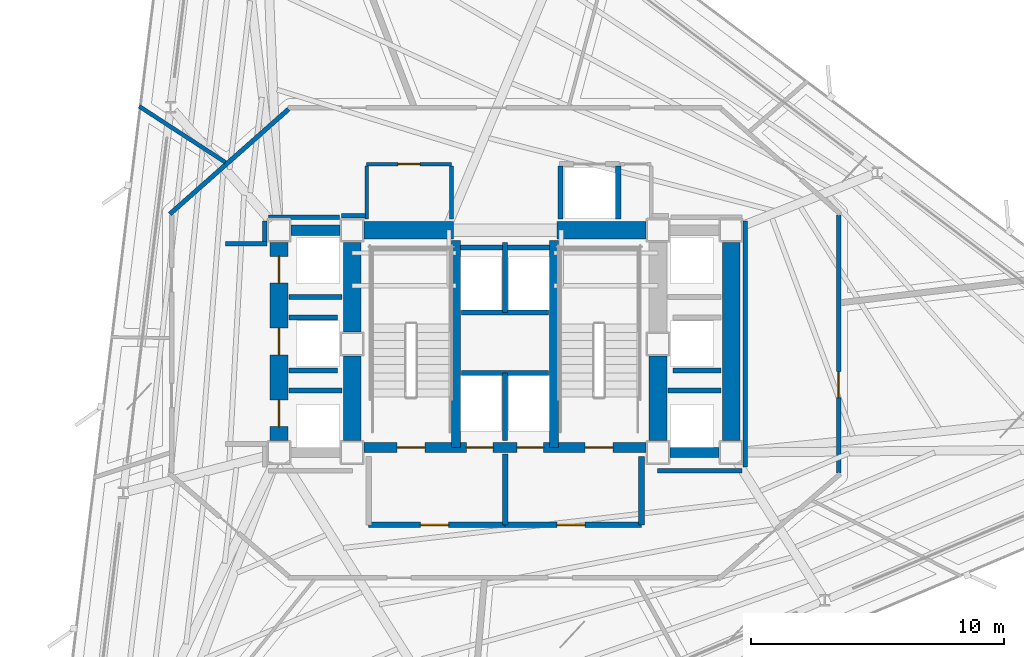
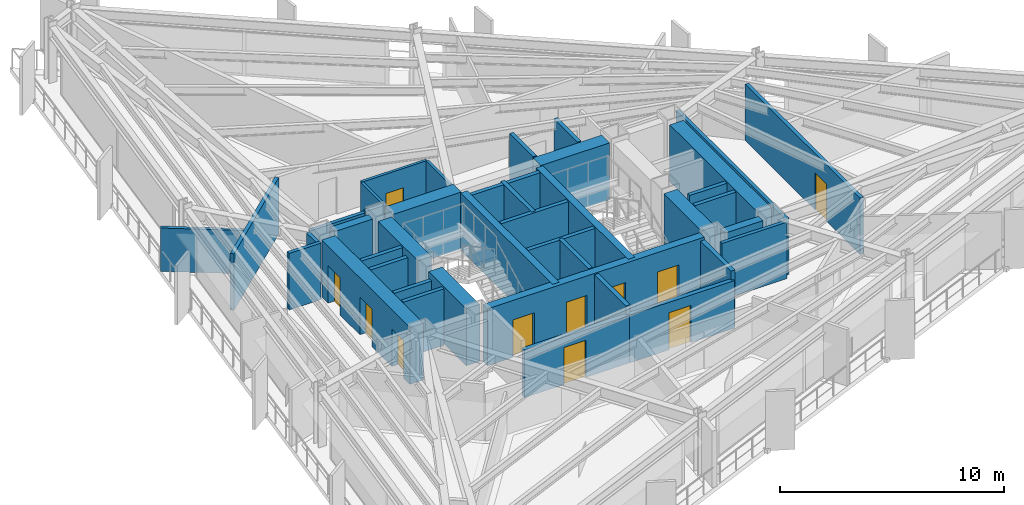
# One storey, part 7 of 13: 41 walls, 11 doors, 11 openings.
"""IFC4 building model written with IfcOpenShell, lengths in metres."""

from ifc_helpers import new_model, si_unit, direction, frame, frame_2d, origin, place, context, subcontext, project, spatial, rectangle, extrude, material, layer, layer_set, type_object, element, fill, save


model = new_model("IFC4")

# Units and contexts
model_context = context("Model", 3, precision=1e-05, world=origin(), true_north=direction((0.0, 1.0)))
body_context = subcontext(model_context, "Body", "Model", "MODEL_VIEW")
ifc_project = project(units=[si_unit("LENGTHUNIT", "METRE"), si_unit("AREAUNIT", "SQUARE_METRE"), si_unit("VOLUMEUNIT", "CUBIC_METRE"), si_unit("PLANEANGLEUNIT", "RADIAN"), si_unit("MASSUNIT", "GRAM", prefix="KILO")], contexts=[model_context])

# Site, building, storey
site_placement = place(None, origin())
site = spatial("IfcSite", under=ifc_project, at=site_placement, CompositionType="ELEMENT")
building_placement = place(site_placement, origin())
building = spatial("IfcBuilding", under=site, at=building_placement, Name="Rocaltana Carrier Exchange", CompositionType="ELEMENT")
storey_placement = place(building_placement, frame((0.0, 0.0, 66.39990234375)))
storey = spatial("IfcBuildingStorey", under=building, at=storey_placement, Name="L20", CompositionType="ELEMENT", Elevation=66.39990234375)

# Walls
ifc_material_1 = material(Name="Double Acoustic Gypsum Partition", Category="gypsum")
ifc_layer_1 = layer(ifc_material_1, 0.159912109375)
ifc_layer_set_1 = layer_set([ifc_layer_1], Name="Double Acoustic Gypsum Partition")
wall_type_1 = type_object("IfcWallType", Name="Acoustic Studio Partition 160 EI60", PredefinedType="PARTITIONING", material=ifc_layer_set_1)
wall_1_placement = place(storey_placement, frame((-11.069091796875, 7.188232421875, 0.0), z_axis=(0.0, 0.0, 1.0), x_axis=(-0.838653238926, 0.544665718436, 0.0)))
element("IfcWall", 1, at=wall_1_placement, inside=storey, type_object=wall_type_1, Name="L20 Suite Divider Wall D10", PredefinedType="PARTITIONING", context=body_context, shape_type="SweptSolid", body=[
    extrude(rectangle(XDim=4.070068359375, YDim=0.159912109375, at=frame_2d((2.03515625, 0.0))), origin(), (0.0, 0.0, 1.0), 2.358154296875),
])
ifc_material_2 = material(Name="Concrete C50/60", Category="concrete")
ifc_layer_2 = layer(ifc_material_2, 0.35009765625)
ifc_layer_set_2 = layer_set([ifc_layer_2], Name="Concrete C50/60")
wall_type_2 = type_object("IfcWallType", Name="Core Internal Shear Wall 350", PredefinedType="SHEAR", material=ifc_layer_set_2)
for number, where, z_axis, x_axis, name in (
    (2, (-1.93994140625, -4.10009765625, 0.0), (0.0, 0.0, 1.0), (0.0, 1.0, 0.0), "L20 Core Shear Wall CW-STW"),
    (3, (1.93994140625, -4.10009765625, 0.0), (0.0, 0.0, 1.0), (0.0, 1.0, 0.0), "L20 Core Shear Wall CW-STE"),
):
    element("IfcWall", number, at=place(storey_placement, frame(where, z_axis=z_axis, x_axis=x_axis)), inside=storey, type_object=wall_type_2, Name=name, PredefinedType="SHEAR", context=body_context, shape_type="SweptSolid", body=[
        extrude(rectangle(XDim=8.2001953125, YDim=0.35009765625, at=frame_2d((4.10009765625, 0.0))), origin(), (0.0, 0.0, 1.0), 3.09814453125),
    ])

# Wall, openings, doors
ifc_material_3 = material(Name="Concrete C50/60", Category="concrete")
ifc_layer_3 = layer(ifc_material_3, 0.39990234375)
ifc_layer_set_3 = layer_set([ifc_layer_3], Name="Concrete C50/60")
wall_type_3 = type_object("IfcWallType", Name="Core Internal Shear Wall 400", PredefinedType="SHEAR", material=ifc_layer_set_3)
wall_2_placement = place(storey_placement, frame((-5.574951171875, -4.10009765625, 0.0), z_axis=(0.0, 0.0, 1.0), x_axis=(1.0, 0.0, 0.0)))
wall_2 = element("IfcWall", 4, at=wall_2_placement, inside=storey, type_object=wall_type_3, Name="L20 Core Shear Wall CW-S", PredefinedType="SHEAR", context=body_context, shape_type="SweptSolid", body=[
    extrude(rectangle(XDim=11.14990234375, YDim=0.39990234375, at=frame_2d((5.574951171875, 0.0))), origin(), (0.0, 0.0, 1.0), 3.09814453125),
])
opening_1_placement = place(wall_2_placement, frame((1.304931640625, 0.0, 0.0)))
opening_1 = element("IfcOpeningElement", 5, at=opening_1_placement, cuts=wall_2, Name="Opening D-ST110", PredefinedType="OPENING", context=body_context, shape_type="SweptSolid", body=[
    extrude(rectangle(XDim=1.10009765625, YDim=2.0400390625, at=frame_2d((0.550048828125, 1.02001953125))), frame((0.0, 0.2099609375, 0.0), z_axis=(0.0, -1.0, 0.0), x_axis=(1.0, 0.0, 0.0)), (0.0, 0.0, 1.0), 0.419921875),
])
opening_2_placement = place(wall_2_placement, frame((8.7451171875, 0.0, 0.0)))
opening_2 = element("IfcOpeningElement", 6, at=opening_2_placement, cuts=wall_2, Name="Opening D-ST110", PredefinedType="OPENING", context=body_context, shape_type="SweptSolid", body=[
    extrude(rectangle(XDim=1.10009765625, YDim=2.0400390625, at=frame_2d((0.550048828125, 1.02001953125))), frame((0.0, 0.2099609375, 0.0), z_axis=(0.0, -1.0, 0.0), x_axis=(1.0, 0.0, 0.0)), (0.0, 0.0, 1.0), 0.419921875),
])
opening_3_placement = place(wall_2_placement, frame((4.044921875, 0.0, 0.0)))
opening_3 = element("IfcOpeningElement", 7, at=opening_3_placement, cuts=wall_2, Name="Opening LD-110", PredefinedType="OPENING", context=body_context, shape_type="SweptSolid", body=[
    extrude(rectangle(XDim=1.06005859375, YDim=2.0400390625, at=frame_2d((0.530029296875, 1.02001953125))), frame((0.0, 0.2099609375, 0.0), z_axis=(0.0, -1.0, 0.0), x_axis=(1.0, 0.0, 0.0)), (0.0, 0.0, 1.0), 0.419921875),
])
opening_4_placement = place(wall_2_placement, frame((6.044921875, 0.0, 0.0)))
opening_4 = element("IfcOpeningElement", 8, at=opening_4_placement, cuts=wall_2, Name="Opening LD-110", PredefinedType="OPENING", context=body_context, shape_type="SweptSolid", body=[
    extrude(rectangle(XDim=1.06005859375, YDim=2.0400390625, at=frame_2d((0.530029296875, 1.02001953125))), frame((0.0, 0.2099609375, 0.0), z_axis=(0.0, -1.0, 0.0), x_axis=(1.0, 0.0, 0.0)), (0.0, 0.0, 1.0), 0.419921875),
])
ifc_material_4 = material(Name="Hollow Metal Fire Door Assembly", Category="steel")
door_type_1 = type_object("IfcDoorType", Name="Exit Stair Fire Door 1100x2040 FD90S", OperationType="NOTDEFINED", PredefinedType="DOOR", material=ifc_material_4)
door_1_placement = place(opening_1_placement, origin())
door_1 = element("IfcDoor", 9, at=door_1_placement, inside=storey, type_object=door_type_1, Name="L20 Exit Stair ST1 Fire Door", OperationType="SINGLE_SWING_LEFT", OverallHeight=2.0400390625, OverallWidth=1.10009765625, PredefinedType="DOOR", context=body_context, shape_type="SweptSolid", body=[
    extrude(rectangle(XDim=1.10009765625, YDim=2.0400390625, at=frame_2d((0.550048828125, 1.02001953125))), frame((0.0, 0.02490234375, 0.0), z_axis=(0.0, -1.0, 0.0), x_axis=(1.0, 0.0, 0.0)), (0.0, 0.0, 1.0), 0.050048828125),
])
fill(opening_1, door_1)
door_2_placement = place(opening_2_placement, origin())
door_2 = element("IfcDoor", 10, at=door_2_placement, inside=storey, type_object=door_type_1, Name="L20 Exit Stair ST2 Fire Door", OperationType="SINGLE_SWING_RIGHT", OverallHeight=2.0400390625, OverallWidth=1.10009765625, PredefinedType="DOOR", context=body_context, shape_type="SweptSolid", body=[
    extrude(rectangle(XDim=1.10009765625, YDim=2.0400390625, at=frame_2d((0.550048828125, 1.02001953125))), frame((0.0, 0.02490234375, 0.0), z_axis=(0.0, -1.0, 0.0), x_axis=(1.0, 0.0, 0.0)), (0.0, 0.0, 1.0), 0.050048828125),
])
fill(opening_2, door_2)
ifc_material_5 = material(Name="Brushed Stainless Sliding Door Leaf", Category="steel")
door_type_2 = type_object("IfcDoorType", Name="Lift Landing Sliding Door 1060x2040", OperationType="NOTDEFINED", PredefinedType="DOOR", material=ifc_material_5)
door_3_placement = place(opening_3_placement, origin())
door_3 = element("IfcDoor", 11, at=door_3_placement, inside=storey, type_object=door_type_2, Name="L20 Firefighting Lift FFL1 Landing Door", OperationType="SLIDING_TO_LEFT", OverallHeight=2.0400390625, OverallWidth=1.06005859375, PredefinedType="DOOR", context=body_context, shape_type="SweptSolid", body=[
    extrude(rectangle(XDim=1.06005859375, YDim=2.0400390625, at=frame_2d((0.530029296875, 1.02001953125))), frame((0.0, 0.02490234375, 0.0), z_axis=(0.0, -1.0, 0.0), x_axis=(1.0, 0.0, 0.0)), (0.0, 0.0, 1.0), 0.050048828125),
])
fill(opening_3, door_3)
door_4_placement = place(opening_4_placement, origin())
door_4 = element("IfcDoor", 12, at=door_4_placement, inside=storey, type_object=door_type_2, Name="L20 Firefighting Lift FFL2 Landing Door", OperationType="SLIDING_TO_RIGHT", OverallHeight=2.0400390625, OverallWidth=1.06005859375, PredefinedType="DOOR", context=body_context, shape_type="SweptSolid", body=[
    extrude(rectangle(XDim=1.06005859375, YDim=2.0400390625, at=frame_2d((0.530029296875, 1.02001953125))), frame((0.0, 0.02490234375, 0.0), z_axis=(0.0, -1.0, 0.0), x_axis=(1.0, 0.0, 0.0)), (0.0, 0.0, 1.0), 0.050048828125),
])
fill(opening_4, door_4)

# Walls
for number, where, z_axis, x_axis, name in (
    (13, (-8.47509765625, 4.5, 0.0), (0.0, 0.0, 1.0), (1.0, 0.0, 0.0), "L20 Core Shear Wall CW-WWN"),
    (14, (6.52490234375, -4.300048828125, 0.0), (0.0, 0.0, 1.0), (1.0, 0.0, 0.0), "L20 Core Shear Wall CW-EWS"),
):
    element("IfcWall", number, at=place(storey_placement, frame(where, z_axis=z_axis, x_axis=x_axis)), inside=storey, type_object=wall_type_3, Name=name, PredefinedType="SHEAR", context=body_context, shape_type="SweptSolid", body=[
        extrude(rectangle(XDim=1.9501953125, YDim=0.39990234375, at=frame_2d((0.97509765625, 0.0))), origin(), (0.0, 0.0, 1.0), 3.09814453125),
    ])
ifc_material_6 = material(Name="Concrete C60/75", Category="concrete")
ifc_layer_4 = layer(ifc_material_6, 0.699951171875)
ifc_layer_set_4 = layer_set([ifc_layer_4], Name="Concrete C60/75")
wall_type_4 = type_object("IfcWallType", Name="Core Shear Wall 700", PredefinedType="SHEAR", material=ifc_layer_set_4)
wall_3_placement = place(storey_placement, frame((-6.050048828125, 0.47509765625, 0.0), z_axis=(0.0, 0.0, 1.0), x_axis=(0.0, 1.0, 0.0)))
element("IfcWall", 15, at=wall_3_placement, inside=storey, type_object=wall_type_4, Name="L20 Core Shear Wall CW-WN", PredefinedType="SHEAR", context=body_context, shape_type="SweptSolid", body=[
    extrude(rectangle(XDim=3.5498046875, YDim=0.699951171875, at=frame_2d((1.77490234375, 0.0))), origin(), (0.0, 0.0, 1.0), 3.09814453125),
])
for number, where, z_axis, x_axis, name in (
    (16, (-6.050048828125, -3.824951171875, 0.0), (0.0, 0.0, 1.0), (0.0, 1.0, 0.0), "L20 Core Shear Wall CW-WS"),
    (17, (6.050048828125, -3.824951171875, 0.0), (0.0, 0.0, 1.0), (0.0, 1.0, 0.0), "L20 Core Shear Wall CW-ES"),
):
    element("IfcWall", number, at=place(storey_placement, frame(where, z_axis=z_axis, x_axis=x_axis)), inside=storey, type_object=wall_type_4, Name=name, PredefinedType="SHEAR", context=body_context, shape_type="SweptSolid", body=[
        extrude(rectangle(XDim=3.349853515625, YDim=0.699951171875, at=frame_2d((1.6748046875, 0.0))), origin(), (0.0, 0.0, 1.0), 3.09814453125),
    ])
for number, where, z_axis, x_axis, name in (
    (18, (-5.574951171875, 4.5, 0.0), (0.0, 0.0, 1.0), (1.0, 0.0, 0.0), "L20 Core Shear Wall CW-N1"),
    (19, (2.050048828125, 4.5, 0.0), (0.0, 0.0, 1.0), (1.0, 0.0, 0.0), "L20 Core Shear Wall CW-N2"),
):
    element("IfcWall", number, at=place(storey_placement, frame(where, z_axis=z_axis, x_axis=x_axis)), inside=storey, type_object=wall_type_4, Name=name, PredefinedType="SHEAR", context=body_context, shape_type="SweptSolid", body=[
        extrude(rectangle(XDim=3.52490234375, YDim=0.699951171875, at=frame_2d((1.762451171875, 0.0))), origin(), (0.0, 0.0, 1.0), 3.09814453125),
    ])

# Wall, openings, doors
wall_4_placement = place(storey_placement, frame((-8.949951171875, -3.824951171875, 0.0), z_axis=(0.0, 0.0, 1.0), x_axis=(0.0, 1.0, 0.0)))
wall_4 = element("IfcWall", 20, at=wall_4_placement, inside=storey, type_object=wall_type_4, Name="L20 Core Shear Wall CW-WW", PredefinedType="SHEAR", context=body_context, shape_type="SweptSolid", body=[
    extrude(rectangle(XDim=7.849853515625, YDim=0.699951171875, at=frame_2d((3.9248046875, 0.0))), origin(), (0.0, 0.0, 1.0), 3.09814453125),
])
opening_5_placement = place(wall_4_placement, frame((0.550048828125, 0.0, 0.0)))
opening_5 = element("IfcOpeningElement", 21, at=opening_5_placement, cuts=wall_4, Name="Opening LD-110", PredefinedType="OPENING", context=body_context, shape_type="SweptSolid", body=[
    extrude(rectangle(XDim=1.06005859375, YDim=2.0400390625, at=frame_2d((0.530029296875, 1.02001953125))), frame((0.0, 0.35986328125, 0.0), z_axis=(0.0, -1.0, 0.0), x_axis=(1.0, 0.0, 0.0)), (0.0, 0.0, 1.0), 0.719970703125),
])
opening_6_placement = place(wall_4_placement, frame((3.39501953125, 0.0, 0.0)))
opening_6 = element("IfcOpeningElement", 22, at=opening_6_placement, cuts=wall_4, Name="Opening LD-110", PredefinedType="OPENING", context=body_context, shape_type="SweptSolid", body=[
    extrude(rectangle(XDim=1.06005859375, YDim=2.0400390625, at=frame_2d((0.530029296875, 1.02001953125))), frame((0.0, 0.35986328125, 0.0), z_axis=(0.0, -1.0, 0.0), x_axis=(1.0, 0.0, 0.0)), (0.0, 0.0, 1.0), 0.719970703125),
])
opening_7_placement = place(wall_4_placement, frame((6.22998046875, 0.0, 0.0)))
opening_7 = element("IfcOpeningElement", 23, at=opening_7_placement, cuts=wall_4, Name="Opening LD-110", PredefinedType="OPENING", context=body_context, shape_type="SweptSolid", body=[
    extrude(rectangle(XDim=1.06005859375, YDim=2.0400390625, at=frame_2d((0.530029296875, 1.02001953125))), frame((0.0, 0.35986328125, 0.0), z_axis=(0.0, -1.0, 0.0), x_axis=(1.0, 0.0, 0.0)), (0.0, 0.0, 1.0), 0.719970703125),
])
door_5_placement = place(opening_5_placement, origin())
door_5 = element("IfcDoor", 24, at=door_5_placement, inside=storey, type_object=door_type_2, Name="L20 Low-Rise Lift PL-L1 Landing Door", OperationType="SLIDING_TO_LEFT", OverallHeight=2.0400390625, OverallWidth=1.06005859375, PredefinedType="DOOR", context=body_context, shape_type="SweptSolid", body=[
    extrude(rectangle(XDim=1.06005859375, YDim=2.0400390625, at=frame_2d((0.530029296875, 1.02001953125))), frame((0.0, 0.02490234375, 0.0), z_axis=(0.0, -1.0, 0.0), x_axis=(1.0, 0.0, 0.0)), (0.0, 0.0, 1.0), 0.050048828125),
])
fill(opening_5, door_5)
door_6_placement = place(opening_6_placement, origin())
door_6 = element("IfcDoor", 25, at=door_6_placement, inside=storey, type_object=door_type_2, Name="L20 Low-Rise Lift PL-L2 Landing Door", OperationType="SLIDING_TO_RIGHT", OverallHeight=2.0400390625, OverallWidth=1.06005859375, PredefinedType="DOOR", context=body_context, shape_type="SweptSolid", body=[
    extrude(rectangle(XDim=1.06005859375, YDim=2.0400390625, at=frame_2d((0.530029296875, 1.02001953125))), frame((0.0, 0.02490234375, 0.0), z_axis=(0.0, -1.0, 0.0), x_axis=(1.0, 0.0, 0.0)), (0.0, 0.0, 1.0), 0.050048828125),
])
fill(opening_6, door_6)
door_7_placement = place(opening_7_placement, origin())
door_7 = element("IfcDoor", 26, at=door_7_placement, inside=storey, type_object=door_type_2, Name="L20 Low-Rise Lift PL-L3 Landing Door", OperationType="SLIDING_TO_LEFT", OverallHeight=2.0400390625, OverallWidth=1.06005859375, PredefinedType="DOOR", context=body_context, shape_type="SweptSolid", body=[
    extrude(rectangle(XDim=1.06005859375, YDim=2.0400390625, at=frame_2d((0.530029296875, 1.02001953125))), frame((0.0, 0.02490234375, 0.0), z_axis=(0.0, -1.0, 0.0), x_axis=(1.0, 0.0, 0.0)), (0.0, 0.0, 1.0), 0.050048828125),
])
fill(opening_7, door_7)

# Wall
wall_5_placement = place(storey_placement, frame((8.949951171875, -3.824951171875, 0.0), z_axis=(0.0, 0.0, 1.0), x_axis=(0.0, 1.0, 0.0)))
element("IfcWall", 27, at=wall_5_placement, inside=storey, type_object=wall_type_4, Name="L20 Core Shear Wall CW-EW", PredefinedType="SHEAR", context=body_context, shape_type="SweptSolid", body=[
    extrude(rectangle(XDim=7.849853515625, YDim=0.699951171875, at=frame_2d((3.9248046875, 0.0))), origin(), (0.0, 0.0, 1.0), 3.09814453125),
])

# Wall, opening, door
ifc_material_7 = material(Name="Gypsum & Steel Stud Partition", Category="steel")
ifc_layer_5 = layer(ifc_material_7, 0.179931640625)
ifc_layer_set_5 = layer_set([ifc_layer_5], Name="Gypsum & Steel Stud Partition")
wall_type_5 = type_object("IfcWallType", Name="Corridor Fire Partition 180 EI60", PredefinedType="PARTITIONING", material=ifc_layer_set_5)
wall_6_placement = place(storey_placement, frame((13.199951171875, 5.110107421875, 0.0), z_axis=(0.0, 0.0, 1.0), x_axis=(0.0, -1.0, 0.0)))
wall_6 = element("IfcWall", 28, at=wall_6_placement, inside=storey, type_object=wall_type_5, Name="L20 Corridor Partition 3", PredefinedType="PARTITIONING", context=body_context, shape_type="SweptSolid", body=[
    extrude(rectangle(XDim=10.22021484375, YDim=0.179931640625, at=frame_2d((5.110107421875, 0.0))), origin(), (0.0, 0.0, 1.0), 3.072998046875),
])
opening_8_placement = place(wall_6_placement, frame((6.209716796875, 0.0, 0.0)))
opening_8 = element("IfcOpeningElement", 29, at=opening_8_placement, cuts=wall_6, Name="Opening D-LB104", PredefinedType="OPENING", context=body_context, shape_type="SweptSolid", body=[
    extrude(rectangle(XDim=1.02001953125, YDim=2.02001953125, at=frame_2d((0.510009765625, 1.010009765625))), frame((0.0, 0.099853515625, 0.0), z_axis=(0.0, -1.0, 0.0), x_axis=(1.0, 0.0, 0.0)), (0.0, 0.0, 1.0), 0.199951171875),
])
ifc_material_8 = material(Name="Powder-Coated Aluminium 6063-T6", Category="aluminium")
door_type_3 = type_object("IfcDoorType", Name="Laboratory Acoustic Door 1020x2020", OperationType="NOTDEFINED", PredefinedType="DOOR", material=ifc_material_8)
door_8_placement = place(opening_8_placement, origin())
door_8 = element("IfcDoor", 30, at=door_8_placement, inside=storey, type_object=door_type_3, Name="L20 Optical Switching Laboratory Entrance Door", OperationType="SINGLE_SWING_RIGHT", OverallHeight=2.02001953125, OverallWidth=1.02001953125, PredefinedType="DOOR", context=body_context, shape_type="SweptSolid", body=[
    extrude(rectangle(XDim=1.02001953125, YDim=2.02001953125, at=frame_2d((0.510009765625, 1.010009765625))), frame((0.0, 0.02490234375, 0.0), z_axis=(0.0, -1.0, 0.0), x_axis=(1.0, 0.0, 0.0)), (0.0, 0.0, 1.0), 0.050048828125),
])
fill(opening_8, door_8)

# Walls
wall_7_placement = place(storey_placement, frame((-13.267578125, 5.140380859375, 0.0), z_axis=(0.0, 0.0, 1.0), x_axis=(0.749626463267, 0.66186113768, 0.0)))
element("IfcWall", 31, at=wall_7_placement, inside=storey, type_object=wall_type_5, Name="L20 Corridor Partition 8", PredefinedType="PARTITIONING", context=body_context, shape_type="SweptSolid", body=[
    extrude(rectangle(XDim=6.27001953125, YDim=0.179931640625, at=frame_2d((3.135009765625, 0.0))), origin(), (0.0, 0.0, 1.0), 3.072998046875),
])
wall_8_placement = place(storey_placement, frame((-9.510009765625, 4.8701171875, 0.0), z_axis=(0.0, 0.0, 1.0), x_axis=(0.0, -1.0, 0.0)))
element("IfcWall", 32, at=wall_8_placement, inside=storey, type_object=wall_type_5, Name="L20 Corridor Partition 9", PredefinedType="PARTITIONING", context=body_context, shape_type="SweptSolid", body=[
    extrude(rectangle(XDim=0.820068359375, YDim=0.179931640625, at=frame_2d((0.41015625, 0.0))), origin(), (0.0, 0.0, 1.0), 3.072998046875),
])
wall_9_placement = place(storey_placement, frame((-9.419921875, 3.9599609375, 0.0), z_axis=(0.0, 0.0, 1.0), x_axis=(-1.0, 0.0, 0.0)))
element("IfcWall", 33, at=wall_9_placement, inside=storey, type_object=wall_type_5, Name="L20 Corridor Partition 10", PredefinedType="PARTITIONING", context=body_context, shape_type="SweptSolid", body=[
    extrude(rectangle(XDim=1.650146484375, YDim=0.179931640625, at=frame_2d((0.8251953125, 0.0))), origin(), (0.0, 0.0, 1.0), 3.072998046875),
])
wall_10_placement = place(storey_placement, frame((6.030029296875, -5.010009765625, 0.0), z_axis=(0.0, 0.0, 1.0), x_axis=(1.0, 0.0, 0.0)))
element("IfcWall", 34, at=wall_10_placement, inside=storey, type_object=wall_type_5, Name="L20 Corridor Partition 16", PredefinedType="PARTITIONING", context=body_context, shape_type="SweptSolid", body=[
    extrude(rectangle(XDim=3.340087890625, YDim=0.179931640625, at=frame_2d((1.669921875, 0.0))), origin(), (0.0, 0.0, 1.0), 3.072998046875),
])
wall_11_placement = place(storey_placement, frame((9.510009765625, -4.8701171875, 0.0), z_axis=(0.0, 0.0, 1.0), x_axis=(0.0, 1.0, 0.0)))
element("IfcWall", 35, at=wall_11_placement, inside=storey, type_object=wall_type_5, Name="L20 Corridor Partition 17", PredefinedType="PARTITIONING", context=body_context, shape_type="SweptSolid", body=[
    extrude(rectangle(XDim=9.740234375, YDim=0.179931640625, at=frame_2d((4.8701171875, 0.0))), origin(), (0.0, 0.0, 1.0), 3.072998046875),
])
wall_12_placement = place(storey_placement, frame((-5.52001953125, 5.080078125, 0.0), z_axis=(0.0, 0.0, 1.0), x_axis=(-1.0, 0.0, 0.0)))
element("IfcWall", 36, at=wall_12_placement, inside=storey, type_object=wall_type_5, Name="L20 Corridor Partition 22", PredefinedType="PARTITIONING", context=body_context, shape_type="SweptSolid", body=[
    extrude(rectangle(XDim=0.949951171875, YDim=0.179931640625, at=frame_2d((0.47509765625, 0.0))), origin(), (0.0, 0.0, 1.0), 3.072998046875),
])
wall_13_placement = place(storey_placement, frame((-6.562255859375, 5.010009765625, 0.0), z_axis=(0.0, 0.0, 1.0), x_axis=(-1.0, 0.0, 0.0)))
element("IfcWall", 37, at=wall_13_placement, inside=storey, type_object=wall_type_5, Name="L20 Corridor Partition 23", PredefinedType="PARTITIONING", context=body_context, shape_type="SweptSolid", body=[
    extrude(rectangle(XDim=2.807861328125, YDim=0.179931640625, at=frame_2d((1.40380859375, 0.0))), origin(), (0.0, 0.0, 1.0), 3.072998046875),
])
ifc_material_9 = material(Name="Autoclaved Aerated Concrete C30/37", Category="concrete")
ifc_layer_6 = layer(ifc_material_9, 0.219970703125)
ifc_layer_set_6 = layer_set([ifc_layer_6], Name="Autoclaved Aerated Concrete C30/37")
wall_type_6 = type_object("IfcWallType", Name="Firefighting Lobby Wall 220 EI120", PredefinedType="PARTITIONING", material=ifc_layer_set_6)
wall_14_placement = place(storey_placement, frame((5.39990234375, -7.159912109375, 0.0), z_axis=(0.0, 0.0, 1.0), x_axis=(0.0, 1.0, 0.0)))
element("IfcWall", 38, at=wall_14_placement, inside=storey, type_object=wall_type_6, Name="L20 FFL Lobby 2 East Wall", PredefinedType="PARTITIONING", context=body_context, shape_type="SweptSolid", body=[
    extrude(rectangle(XDim=2.7099609375, YDim=0.219970703125, at=frame_2d((1.35498046875, 0.0))), origin(), (0.0, 0.0, 1.0), 3.072998046875),
])
wall_15_placement = place(storey_placement, frame((0.0, -7.159912109375, 0.0), z_axis=(0.0, 0.0, 1.0), x_axis=(0.0, 1.0, 0.0)))
element("IfcWall", 39, at=wall_15_placement, inside=storey, type_object=wall_type_6, Name="L20 FFL Lobby Centre Wall", PredefinedType="PARTITIONING", context=body_context, shape_type="SweptSolid", body=[
    extrude(rectangle(XDim=2.809814453125, YDim=0.219970703125, at=frame_2d((1.40478515625, 0.0))), origin(), (0.0, 0.0, 1.0), 3.072998046875),
])

# Wall, opening, door
wall_16_placement = place(storey_placement, frame((-5.39990234375, -7.159912109375, 0.0), z_axis=(0.0, 0.0, 1.0), x_axis=(1.0, 0.0, 0.0)))
wall_16 = element("IfcWall", 40, at=wall_16_placement, inside=storey, type_object=wall_type_6, Name="L20 FFL Lobby 1 South Wall", PredefinedType="PARTITIONING", context=body_context, shape_type="SweptSolid", body=[
    extrude(rectangle(XDim=5.39990234375, YDim=0.219970703125, at=frame_2d((2.699951171875, 0.0))), origin(), (0.0, 0.0, 1.0), 2.587158203125),
])
opening_9_placement = place(wall_16_placement, frame((2.050048828125, 0.0, 0.0)))
opening_9 = element("IfcOpeningElement", 41, at=opening_9_placement, cuts=wall_16, Name="Opening D-FF115", PredefinedType="OPENING", context=body_context, shape_type="SweptSolid", body=[
    extrude(rectangle(XDim=1.1201171875, YDim=2.02001953125, at=frame_2d((0.56005859375, 1.010009765625))), frame((0.0, 0.119873046875, 0.0), z_axis=(0.0, -1.0, 0.0), x_axis=(1.0, 0.0, 0.0)), (0.0, 0.0, 1.0), 0.239990234375),
])
ifc_material_10 = material(Name="Hollow Metal Fire Door Assembly", Category="steel")
door_type_4 = type_object("IfcDoorType", Name="Firefighting Lobby Door 1120x2020 FD60S", OperationType="NOTDEFINED", PredefinedType="DOOR", material=ifc_material_10)
door_9_placement = place(opening_9_placement, origin())
door_9 = element("IfcDoor", 42, at=door_9_placement, inside=storey, type_object=door_type_4, Name="L20 Firefighting Lift Lobby 1 Door", OperationType="SINGLE_SWING_LEFT", OverallHeight=2.02001953125, OverallWidth=1.1201171875, PredefinedType="DOOR", context=body_context, shape_type="SweptSolid", body=[
    extrude(rectangle(XDim=1.1201171875, YDim=2.02001953125, at=frame_2d((0.56005859375, 1.010009765625))), frame((0.0, 0.02490234375, 0.0), z_axis=(0.0, -1.0, 0.0), x_axis=(1.0, 0.0, 0.0)), (0.0, 0.0, 1.0), 0.050048828125),
])
fill(opening_9, door_9)

wall_17_placement = place(storey_placement, frame((0.0, -7.159912109375, 0.0), z_axis=(0.0, 0.0, 1.0), x_axis=(1.0, 0.0, 0.0)))
wall_17 = element("IfcWall", 43, at=wall_17_placement, inside=storey, type_object=wall_type_6, Name="L20 FFL Lobby 2 South Wall", PredefinedType="PARTITIONING", context=body_context, shape_type="SweptSolid", body=[
    extrude(rectangle(XDim=5.39990234375, YDim=0.219970703125, at=frame_2d((2.699951171875, 0.0))), origin(), (0.0, 0.0, 1.0), 2.587158203125),
])
opening_10_placement = place(wall_17_placement, frame((2.050048828125, 0.0, 0.0)))
opening_10 = element("IfcOpeningElement", 44, at=opening_10_placement, cuts=wall_17, Name="Opening D-FF115", PredefinedType="OPENING", context=body_context, shape_type="SweptSolid", body=[
    extrude(rectangle(XDim=1.1201171875, YDim=2.02001953125, at=frame_2d((0.56005859375, 1.010009765625))), frame((0.0, 0.119873046875, 0.0), z_axis=(0.0, -1.0, 0.0), x_axis=(1.0, 0.0, 0.0)), (0.0, 0.0, 1.0), 0.239990234375),
])
door_10_placement = place(opening_10_placement, origin())
door_10 = element("IfcDoor", 45, at=door_10_placement, inside=storey, type_object=door_type_4, Name="L20 Firefighting Lift Lobby 2 Door", OperationType="SINGLE_SWING_RIGHT", OverallHeight=2.02001953125, OverallWidth=1.1201171875, PredefinedType="DOOR", context=body_context, shape_type="SweptSolid", body=[
    extrude(rectangle(XDim=1.1201171875, YDim=2.02001953125, at=frame_2d((0.56005859375, 1.010009765625))), frame((0.0, 0.02490234375, 0.0), z_axis=(0.0, -1.0, 0.0), x_axis=(1.0, 0.0, 0.0)), (0.0, 0.0, 1.0), 0.050048828125),
])
fill(opening_10, door_10)

# Walls
ifc_material_11 = material(Name="Reinforced Concrete Block C35/45", Category="concrete")
ifc_layer_7 = layer(ifc_material_11, 0.199951171875)
ifc_layer_set_7 = layer_set([ifc_layer_7], Name="Reinforced Concrete Block C35/45")
wall_type_7 = type_object("IfcWallType", Name="Lift Hoistway Enclosure Wall 200 EI120", PredefinedType="PARTITIONING", material=ifc_layer_set_7)
wall_18_placement = place(storey_placement, frame((0.0, -3.820068359375, 0.0), z_axis=(0.0, 0.0, 1.0), x_axis=(0.0, 1.0, 0.0)))
element("IfcWall", 46, at=wall_18_placement, inside=storey, type_object=wall_type_7, Name="L20 FFL Shaft Divider", PredefinedType="PARTITIONING", context=body_context, shape_type="SweptSolid", body=[
    extrude(rectangle(XDim=2.670166015625, YDim=0.199951171875, at=frame_2d((1.3349609375, 0.0))), origin(), (0.0, 0.0, 1.0), 3.072998046875),
])
wall_19_placement = place(storey_placement, frame((-1.719970703125, -1.14990234375, 0.0), z_axis=(0.0, 0.0, 1.0), x_axis=(1.0, 0.0, 0.0)))
element("IfcWall", 47, at=wall_19_placement, inside=storey, type_object=wall_type_7, Name="L20 FFL Shaft Back Wall", PredefinedType="PARTITIONING", context=body_context, shape_type="SweptSolid", body=[
    extrude(rectangle(XDim=3.43994140625, YDim=0.199951171875, at=frame_2d((1.719970703125, 0.0))), origin(), (0.0, 0.0, 1.0), 3.072998046875),
])
wall_20_placement = place(storey_placement, frame((0.0, 1.25, 0.0), z_axis=(0.0, 0.0, 1.0), x_axis=(0.0, 1.0, 0.0)))
element("IfcWall", 48, at=wall_20_placement, inside=storey, type_object=wall_type_7, Name="L20 High-Rise Shaft Divider", PredefinedType="PARTITIONING", context=body_context, shape_type="SweptSolid", body=[
    extrude(rectangle(XDim=2.77001953125, YDim=0.199951171875, at=frame_2d((1.385009765625, 0.0))), origin(), (0.0, 0.0, 1.0), 3.072998046875),
])
wall_21_placement = place(storey_placement, frame((-1.719970703125, 1.25, 0.0), z_axis=(0.0, 0.0, 1.0), x_axis=(1.0, 0.0, 0.0)))
element("IfcWall", 49, at=wall_21_placement, inside=storey, type_object=wall_type_7, Name="L20 High-Rise Shaft Back Wall", PredefinedType="PARTITIONING", context=body_context, shape_type="SweptSolid", body=[
    extrude(rectangle(XDim=3.43994140625, YDim=0.199951171875, at=frame_2d((1.719970703125, 0.0))), origin(), (0.0, 0.0, 1.0), 3.072998046875),
])
wall_22_placement = place(storey_placement, frame((-1.760009765625, 3.820068359375, 0.0), z_axis=(0.0, 0.0, 1.0), x_axis=(1.0, 0.0, 0.0)))
element("IfcWall", 50, at=wall_22_placement, inside=storey, type_object=wall_type_7, Name="L20 High-Rise Lift Front Wall", PredefinedType="PARTITIONING", context=body_context, shape_type="SweptSolid", body=[
    extrude(rectangle(XDim=3.52001953125, YDim=0.199951171875, at=frame_2d((1.760009765625, 0.0))), origin(), (0.0, 0.0, 1.0), 3.072998046875),
])
for number, where, z_axis, x_axis, name in (
    (51, (2.199951171875, 4.949951171875, 0.0), (0.0, 0.0, 1.0), (0.0, 1.0, 0.0), "L20 Goods Lift West Wall"),
    (52, (4.47998046875, 4.949951171875, 0.0), (0.0, 0.0, 1.0), (0.0, 1.0, 0.0), "L20 Goods Lift East Wall"),
    (53, (-8.550048828125, -1.85009765625, 0.0), (0.0, 0.0, 1.0), (1.0, 0.0, 0.0), "L20 Low-Rise Shaft Divider 1"),
    (54, (-8.550048828125, 1.85009765625, 0.0), (0.0, 0.0, 1.0), (1.0, 0.0, 0.0), "L20 Low-Rise Shaft Divider 2"),
):
    element("IfcWall", number, at=place(storey_placement, frame(where, z_axis=z_axis, x_axis=x_axis)), inside=storey, type_object=wall_type_7, Name=name, PredefinedType="PARTITIONING", context=body_context, shape_type="SweptSolid", body=[
        extrude(rectangle(XDim=2.10009765625, YDim=0.199951171875, at=frame_2d((1.050048828125, 0.0))), origin(), (0.0, 0.0, 1.0), 3.072998046875),
    ])
for number, where, z_axis, x_axis, name in (
    (55, (-8.550048828125, -1.050048828125, 0.0), (0.0, 0.0, 1.0), (1.0, 0.0, 0.0), "L20 Low-Rise Center Shaft Wall South"),
    (56, (-8.550048828125, 1.050048828125, 0.0), (0.0, 0.0, 1.0), (1.0, 0.0, 0.0), "L20 Low-Rise Center Shaft Wall North"),
):
    element("IfcWall", number, at=place(storey_placement, frame(where, z_axis=z_axis, x_axis=x_axis)), inside=storey, type_object=wall_type_7, Name=name, PredefinedType="PARTITIONING", context=body_context, shape_type="SweptSolid", body=[
        extrude(rectangle(XDim=1.91015625, YDim=0.199951171875, at=frame_2d((0.955078125, 0.0))), origin(), (0.0, 0.0, 1.0), 3.072998046875),
    ])
wall_23_placement = place(storey_placement, frame((6.449951171875, -1.85009765625, 0.0), z_axis=(0.0, 0.0, 1.0), x_axis=(1.0, 0.0, 0.0)))
element("IfcWall", 57, at=wall_23_placement, inside=storey, type_object=wall_type_7, Name="L20 Mid-Rise Shaft Divider 1", PredefinedType="PARTITIONING", context=body_context, shape_type="SweptSolid", body=[
    extrude(rectangle(XDim=2.10009765625, YDim=0.199951171875, at=frame_2d((1.050048828125, 0.0))), origin(), (0.0, 0.0, 1.0), 3.072998046875),
])
wall_24_placement = place(storey_placement, frame((6.639892578125, -1.050048828125, 0.0), z_axis=(0.0, 0.0, 1.0), x_axis=(1.0, 0.0, 0.0)))
element("IfcWall", 58, at=wall_24_placement, inside=storey, type_object=wall_type_7, Name="L20 Mid-Rise Center Shaft Wall South", PredefinedType="PARTITIONING", context=body_context, shape_type="SweptSolid", body=[
    extrude(rectangle(XDim=1.91015625, YDim=0.199951171875, at=frame_2d((0.955078125, 0.0))), origin(), (0.0, 0.0, 1.0), 3.072998046875),
])
ifc_material_12 = material(Name="Moisture-Resistant Masonry C30/37", Category="masonry")
ifc_layer_8 = layer(ifc_material_12, 0.139892578125)
ifc_layer_set_8 = layer_set([ifc_layer_8], Name="Moisture-Resistant Masonry C30/37")
wall_type_8 = type_object("IfcWallType", Name="Wet-Area Sanitary Partition 140", PredefinedType="PARTITIONING", material=ifc_layer_set_8)
for number, where, z_axis, x_axis, name in (
    (59, (-5.47998046875, 4.949951171875, 0.0), (0.0, 0.0, 1.0), (0.0, 1.0, 0.0), "L20 Sanitary West Wall"),
    (60, (-2.1201171875, 4.949951171875, 0.0), (0.0, 0.0, 1.0), (0.0, 1.0, 0.0), "L20 Sanitary East Wall"),
):
    element("IfcWall", number, at=place(storey_placement, frame(where, z_axis=z_axis, x_axis=x_axis)), inside=storey, type_object=wall_type_8, Name=name, PredefinedType="PARTITIONING", context=body_context, shape_type="SweptSolid", body=[
        extrude(rectangle(XDim=2.10009765625, YDim=0.139892578125, at=frame_2d((1.050048828125, 0.0))), origin(), (0.0, 0.0, 1.0), 3.072998046875),
    ])

# Wall, opening, door
wall_25_placement = place(storey_placement, frame((-5.47998046875, 7.1201171875, 0.0), z_axis=(0.0, 0.0, 1.0), x_axis=(1.0, 0.0, 0.0)))
wall_25 = element("IfcWall", 61, at=wall_25_placement, inside=storey, type_object=wall_type_8, Name="L20 Sanitary North Wall", PredefinedType="PARTITIONING", context=body_context, shape_type="SweptSolid", body=[
    extrude(rectangle(XDim=3.35986328125, YDim=0.139892578125, at=frame_2d((1.679931640625, 0.0))), origin(), (0.0, 0.0, 1.0), 3.072998046875),
])
opening_11_placement = place(wall_25_placement, frame((1.239990234375, 0.0, 0.0)))
opening_11 = element("IfcOpeningElement", 62, at=opening_11_placement, cuts=wall_25, Name="Opening D-WC090", PredefinedType="OPENING", context=body_context, shape_type="SweptSolid", body=[
    extrude(rectangle(XDim=0.8798828125, YDim=2.02001953125, at=frame_2d((0.43994140625, 1.010009765625))), frame((0.0, 0.079833984375, 0.0), z_axis=(0.0, -1.0, 0.0), x_axis=(1.0, 0.0, 0.0)), (0.0, 0.0, 1.0), 0.159912109375),
])
ifc_material_13 = material(Name="High-Pressure Laminate Timber", Category="wood")
door_type_5 = type_object("IfcDoorType", Name="Restroom & Accessible WC Door 880x2020", OperationType="NOTDEFINED", PredefinedType="DOOR", material=ifc_material_13)
door_11_placement = place(opening_11_placement, origin())
door_11 = element("IfcDoor", 63, at=door_11_placement, inside=storey, type_object=door_type_5, Name="L20 Accessible Toilet Door", OperationType="SINGLE_SWING_LEFT", OverallHeight=2.02001953125, OverallWidth=0.8798828125, PredefinedType="DOOR", context=body_context, shape_type="SweptSolid", body=[
    extrude(rectangle(XDim=0.8798828125, YDim=2.02001953125, at=frame_2d((0.43994140625, 1.010009765625))), frame((0.0, 0.02490234375, 0.0), z_axis=(0.0, -1.0, 0.0), x_axis=(1.0, 0.0, 0.0)), (0.0, 0.0, 1.0), 0.050048828125),
])
fill(opening_11, door_11)

save(model, "model.ifc")
